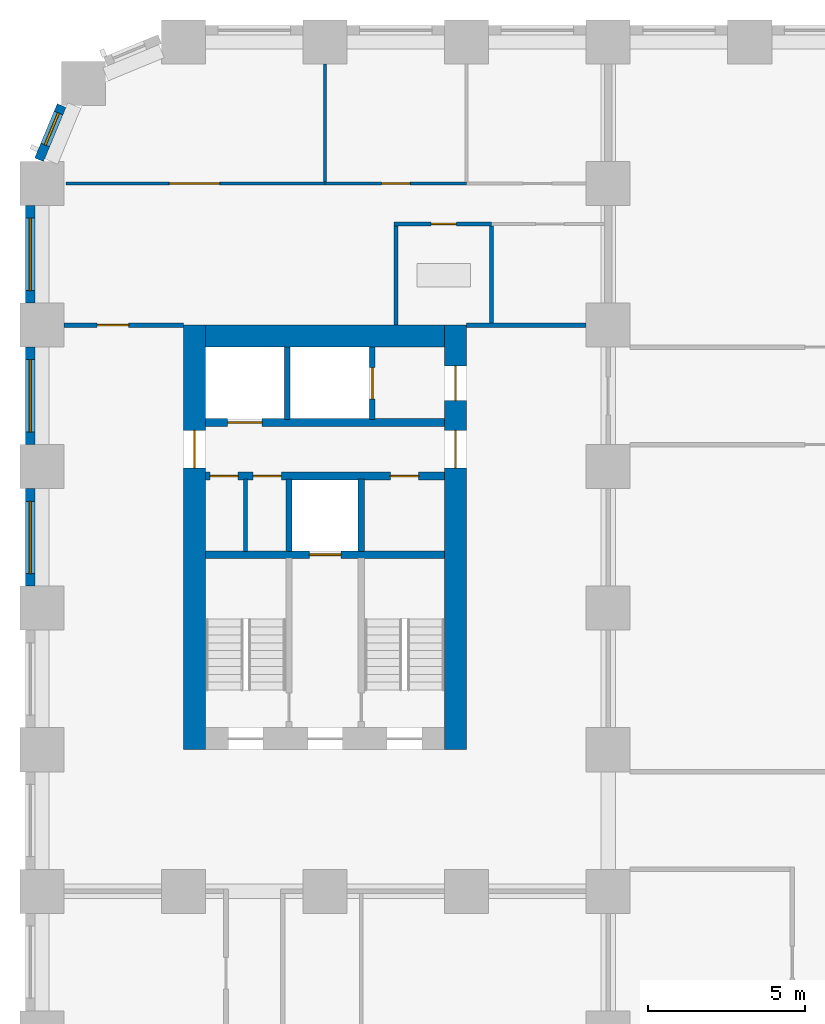
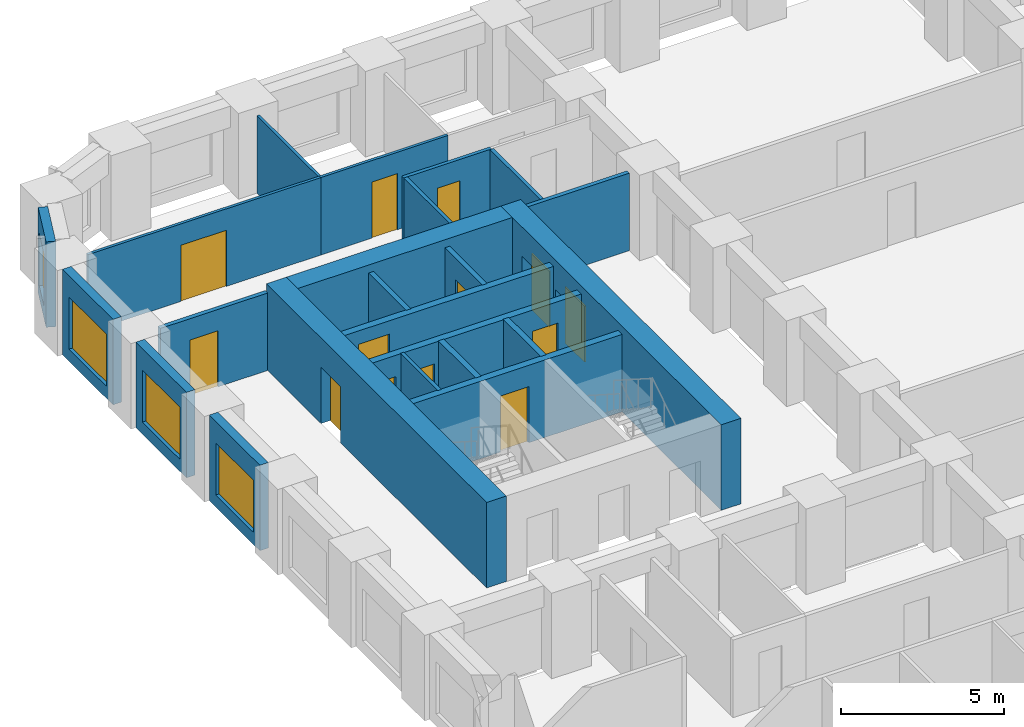
# One storey, part 6 of 12: 23 walls, 13 doors, 4 windows, 17 openings.
"""IFC4 building model written with IfcOpenShell, lengths in metres."""

from ifc_helpers import new_model, si_unit, direction, frame, frame_2d, origin, place, context, subcontext, project, spatial, rectangle, extrude, material, layer, layer_set, type_object, element, fill, save


model = new_model("IFC4")

# Units and contexts
model_context = context("Model", 3, precision=1e-05, world=origin(), true_north=direction((0.0, 1.0)))
body_context = subcontext(model_context, "Body", "Model", "MODEL_VIEW")
ifc_project = project(units=[si_unit("LENGTHUNIT", "METRE"), si_unit("AREAUNIT", "SQUARE_METRE"), si_unit("VOLUMEUNIT", "CUBIC_METRE"), si_unit("PLANEANGLEUNIT", "RADIAN"), si_unit("MASSUNIT", "GRAM", prefix="KILO")], contexts=[model_context])

# Site, building, storey
site_placement = place(None, origin())
site = spatial("IfcSite", under=ifc_project, at=site_placement, CompositionType="ELEMENT")
building_placement = place(site_placement, origin())
building = spatial("IfcBuilding", under=site, at=building_placement, Name="Girih Gate Residences", CompositionType="ELEMENT")
storey_placement = place(building_placement, frame((0.0, 0.0, 68.800048828125)))
storey = spatial("IfcBuildingStorey", under=building, at=storey_placement, Name="L18", CompositionType="ELEMENT", Elevation=68.800048828125)

# Wall
ifc_material_1 = material(Name="Gypsum board on steel studs", Category="steel")
ifc_layer_1 = layer(ifc_material_1, 0.14990234375)
ifc_layer_set_1 = layer_set([ifc_layer_1], Name="Compartment wall 150 mm")
wall_type_1 = type_object("IfcWallType", Name="Compartment wall 150 mm", PredefinedType="PARTITIONING", material=ifc_layer_set_1)
wall_1_placement = place(storey_placement, frame((13.5, 40.5, 0.0), z_axis=(0.0, 0.0, 1.0), x_axis=(1.0, 0.0, 0.0)))
element("IfcWall", 1, at=wall_1_placement, inside=storey, type_object=wall_type_1, Name="L18 partition", PredefinedType="PARTITIONING", context=body_context, shape_type="SweptSolid", body=[
    extrude(rectangle(XDim=3.800048828125, YDim=0.14990234375, at=frame_2d((1.89990234375, 0.0))), origin(), (0.0, 0.0, 1.0), 2.89990234375),
])

# Wall, opening, door
wall_2_placement = place(storey_placement, frame((0.699951171875, 40.5, 0.0), z_axis=(0.0, 0.0, 1.0), x_axis=(1.0, 0.0, 0.0)))
wall_2 = element("IfcWall", 2, at=wall_2_placement, inside=storey, type_object=wall_type_1, Name="L18 partition", PredefinedType="PARTITIONING", context=body_context, shape_type="SweptSolid", body=[
    extrude(rectangle(XDim=3.800048828125, YDim=0.14990234375, at=frame_2d((1.89990234375, 0.0))), origin(), (0.0, 0.0, 1.0), 2.89990234375),
])
opening_1_placement = place(wall_2_placement, frame((1.050048828125, 0.0, 0.0)))
opening_1 = element("IfcOpeningElement", 3, at=opening_1_placement, cuts=wall_2, Name="Opening A18-013", PredefinedType="OPENING", context=body_context, shape_type="SweptSolid", body=[
    extrude(rectangle(XDim=1.0, YDim=2.10009765625, at=frame_2d((0.5, 1.050048828125))), frame((0.0, 0.0849609375, 0.0), z_axis=(0.0, -1.0, 0.0), x_axis=(1.0, 0.0, 0.0)), (0.0, 0.0, 1.0), 0.169921875),
])
ifc_material_2 = material(Name="Timber, fire-rated core", Category="wood")
door_type_1 = type_object("IfcDoorType", Name="Flat entrance door 1000x2100 FD30S", OperationType="NOTDEFINED", PredefinedType="DOOR", material=ifc_material_2)
door_1_placement = place(opening_1_placement, origin())
door_1 = element("IfcDoor", 4, at=door_1_placement, inside=storey, type_object=door_type_1, Name="Door A18-013", OperationType="SINGLE_SWING_LEFT", OverallHeight=2.10009765625, OverallWidth=1.0, PredefinedType="DOOR", context=body_context, shape_type="SweptSolid", body=[
    extrude(rectangle(XDim=1.0, YDim=2.10009765625, at=frame_2d((0.5, 1.050048828125))), frame((0.0, 0.02490234375, 0.0), z_axis=(0.0, -1.0, 0.0), x_axis=(1.0, 0.0, 0.0)), (0.0, 0.0, 1.0), 0.050048828125),
])
fill(opening_1, door_1)

# Wall
ifc_material_3 = material(Name="Concrete C60/75", Category="concrete")
ifc_layer_2 = layer(ifc_material_3, 0.699951171875)
ifc_layer_set_2 = layer_set([ifc_layer_2], Name="Core wall RC 700 Concrete C60/75")
wall_type_2 = type_object("IfcWallType", Name="Core wall RC 700 Concrete C60/75", PredefinedType="SOLIDWALL", material=ifc_layer_set_2)
wall_3_placement = place(storey_placement, frame((5.199951171875, 40.14990234375, 0.0), z_axis=(0.0, 0.0, 1.0), x_axis=(1.0, 0.0, 0.0)))
element("IfcWall", 5, at=wall_3_placement, inside=storey, type_object=wall_type_2, Name="Core wall W-N L18", PredefinedType="SOLIDWALL", context=body_context, shape_type="SweptSolid", body=[
    extrude(rectangle(XDim=7.60009765625, YDim=0.699951171875, at=frame_2d((3.800048828125, 0.0))), origin(), (0.0, 0.0, 1.0), 3.199951171875),
])

# Wall, opening, door
wall_4_placement = place(storey_placement, frame((4.85009765625, 27.0, 0.0), z_axis=(0.0, 0.0, 1.0), x_axis=(0.0, 1.0, 0.0)))
wall_4 = element("IfcWall", 6, at=wall_4_placement, inside=storey, type_object=wall_type_2, Name="Core wall W-W L18", PredefinedType="SOLIDWALL", context=body_context, shape_type="SweptSolid", body=[
    extrude(rectangle(XDim=13.5, YDim=0.699951171875, at=frame_2d((6.75, 0.0))), origin(), (0.0, 0.0, 1.0), 3.199951171875),
])
opening_2_placement = place(wall_4_placement, frame((8.949951171875, 0.0, 0.0)))
opening_2 = element("IfcOpeningElement", 7, at=opening_2_placement, cuts=wall_4, Name="Opening D-L18-W-013", PredefinedType="OPENING", context=body_context, shape_type="SweptSolid", body=[
    extrude(rectangle(XDim=1.199951171875, YDim=2.10009765625, at=frame_2d((0.60009765625, 1.050048828125))), frame((0.0, 0.35986328125, 0.0), z_axis=(0.0, -1.0, 0.0), x_axis=(1.0, 0.0, 0.0)), (0.0, 0.0, 1.0), 0.719970703125),
])
ifc_material_4 = material(Name="Painted steel, fire-resisting", Category="steel")
door_type_2 = type_object("IfcDoorType", Name="Fire door 1200x2100", OperationType="SINGLE_SWING_LEFT", PredefinedType="DOOR", material=ifc_material_4)
door_2_placement = place(opening_2_placement, origin())
door_2 = element("IfcDoor", 8, at=door_2_placement, inside=storey, type_object=door_type_2, Name="L18 W core door ll-w", OperationType="SINGLE_SWING_LEFT", OverallHeight=2.10009765625, OverallWidth=1.199951171875, PredefinedType="DOOR", context=body_context, shape_type="SweptSolid", body=[
    extrude(rectangle(XDim=1.199951171875, YDim=2.10009765625, at=frame_2d((0.60009765625, 1.050048828125))), frame((0.0, 0.02490234375, 0.0), z_axis=(0.0, -1.0, 0.0), x_axis=(1.0, 0.0, 0.0)), (0.0, 0.0, 1.0), 0.050048828125),
])
fill(opening_2, door_2)

# Wall, openings, doors
wall_5_placement = place(storey_placement, frame((13.14990234375, 27.0, 0.0), z_axis=(0.0, 0.0, 1.0), x_axis=(0.0, 1.0, 0.0)))
wall_5 = element("IfcWall", 9, at=wall_5_placement, inside=storey, type_object=wall_type_2, Name="Core wall W-E L18", PredefinedType="SOLIDWALL", context=body_context, shape_type="SweptSolid", body=[
    extrude(rectangle(XDim=13.5, YDim=0.699951171875, at=frame_2d((6.75, 0.0))), origin(), (0.0, 0.0, 1.0), 3.199951171875),
])
opening_3_placement = place(wall_5_placement, frame((11.10009765625, 0.0, 0.0)))
opening_3 = element("IfcOpeningElement", 10, at=opening_3_placement, cuts=wall_5, Name="Opening D-L18-W-012", PredefinedType="OPENING", context=body_context, shape_type="SweptSolid", body=[
    extrude(rectangle(XDim=1.10009765625, YDim=2.10009765625, at=frame_2d((0.550048828125, 1.050048828125))), frame((0.0, 0.35986328125, 0.0), z_axis=(0.0, -1.0, 0.0), x_axis=(1.0, 0.0, 0.0)), (0.0, 0.0, 1.0), 0.719970703125),
])
opening_4_placement = place(wall_5_placement, frame((8.949951171875, 0.0, 0.0)))
opening_4 = element("IfcOpeningElement", 11, at=opening_4_placement, cuts=wall_5, Name="Opening D-L18-W-014", PredefinedType="OPENING", context=body_context, shape_type="SweptSolid", body=[
    extrude(rectangle(XDim=1.199951171875, YDim=2.10009765625, at=frame_2d((0.60009765625, 1.050048828125))), frame((0.0, 0.35986328125, 0.0), z_axis=(0.0, -1.0, 0.0), x_axis=(1.0, 0.0, 0.0)), (0.0, 0.0, 1.0), 0.719970703125),
])
door_type_3 = type_object("IfcDoorType", Name="Fire door 1100x2100", OperationType="SINGLE_SWING_LEFT", PredefinedType="DOOR", material=ifc_material_4)
door_3_placement = place(opening_3_placement, origin())
door_3 = element("IfcDoor", 12, at=door_3_placement, inside=storey, type_object=door_type_3, Name="L18 W core door ffl2-e", OperationType="SINGLE_SWING_LEFT", OverallHeight=2.10009765625, OverallWidth=1.10009765625, PredefinedType="DOOR", context=body_context, shape_type="SweptSolid", body=[
    extrude(rectangle(XDim=1.10009765625, YDim=2.10009765625, at=frame_2d((0.550048828125, 1.050048828125))), frame((0.0, 0.02490234375, 0.0), z_axis=(0.0, -1.0, 0.0), x_axis=(1.0, 0.0, 0.0)), (0.0, 0.0, 1.0), 0.050048828125),
])
fill(opening_3, door_3)
door_4_placement = place(opening_4_placement, origin())
door_4 = element("IfcDoor", 13, at=door_4_placement, inside=storey, type_object=door_type_2, Name="L18 W core door ll-e", OperationType="SINGLE_SWING_LEFT", OverallHeight=2.10009765625, OverallWidth=1.199951171875, PredefinedType="DOOR", context=body_context, shape_type="SweptSolid", body=[
    extrude(rectangle(XDim=1.199951171875, YDim=2.10009765625, at=frame_2d((0.60009765625, 1.050048828125))), frame((0.0, 0.02490234375, 0.0), z_axis=(0.0, -1.0, 0.0), x_axis=(1.0, 0.0, 0.0)), (0.0, 0.0, 1.0), 0.050048828125),
])
fill(opening_4, door_4)

# Wall, opening, door
ifc_material_5 = material(Name="Concrete C40/50", Category="concrete")
ifc_layer_3 = layer(ifc_material_5, 0.25)
ifc_layer_set_3 = layer_set([ifc_layer_3], Name="Lift shaft wall 250")
wall_type_3 = type_object("IfcWallType", Name="Lift shaft wall 250", PredefinedType="SOLIDWALL", material=ifc_layer_set_3)
wall_6_placement = place(storey_placement, frame((5.199951171875, 33.199951171875, 0.0), z_axis=(0.0, 0.0, 1.0), x_axis=(1.0, 0.0, 0.0)))
wall_6 = element("IfcWall", 14, at=wall_6_placement, inside=storey, type_object=wall_type_3, Name="L18 W core wall H1", PredefinedType="SOLIDWALL", context=body_context, shape_type="SweptSolid", body=[
    extrude(rectangle(XDim=7.60009765625, YDim=0.25, at=frame_2d((3.800048828125, 0.0))), origin(), (0.0, 0.0, 1.0), 2.89990234375),
])
opening_5_placement = place(wall_6_placement, frame((3.300048828125, 0.0, 0.0)))
opening_5 = element("IfcOpeningElement", 15, at=opening_5_placement, cuts=wall_6, Name="Opening D-L18-W-005", PredefinedType="OPENING", context=body_context, shape_type="SweptSolid", body=[
    extrude(rectangle(XDim=1.0, YDim=2.10009765625, at=frame_2d((0.5, 1.050048828125))), frame((0.0, 0.135009765625, 0.0), z_axis=(0.0, -1.0, 0.0), x_axis=(1.0, 0.0, 0.0)), (0.0, 0.0, 1.0), 0.27001953125),
])
ifc_material_6 = material(Name="Stainless steel, fire-resisting", Category="steel")
door_type_4 = type_object("IfcDoorType", Name="Firefighting lift landing door 1000x2100", OperationType="SLIDING_TO_LEFT", PredefinedType="DOOR", material=ifc_material_6)
door_5_placement = place(opening_5_placement, origin())
door_5 = element("IfcDoor", 16, at=door_5_placement, inside=storey, type_object=door_type_4, Name="L18 lift FF-W landing door", OperationType="SLIDING_TO_LEFT", OverallHeight=2.10009765625, OverallWidth=1.0, PredefinedType="DOOR", context=body_context, shape_type="SweptSolid", body=[
    extrude(rectangle(XDim=1.0, YDim=2.10009765625, at=frame_2d((0.5, 1.050048828125))), frame((0.0, 0.02490234375, 0.0), z_axis=(0.0, -1.0, 0.0), x_axis=(1.0, 0.0, 0.0)), (0.0, 0.0, 1.0), 0.050048828125),
])
fill(opening_5, door_5)

# Wall, openings, doors
wall_7_placement = place(storey_placement, frame((5.199951171875, 35.699951171875, 0.0), z_axis=(0.0, 0.0, 1.0), x_axis=(1.0, 0.0, 0.0)))
wall_7 = element("IfcWall", 17, at=wall_7_placement, inside=storey, type_object=wall_type_3, Name="L18 W core wall H2", PredefinedType="SOLIDWALL", context=body_context, shape_type="SweptSolid", body=[
    extrude(rectangle(XDim=7.60009765625, YDim=0.25, at=frame_2d((3.800048828125, 0.0))), origin(), (0.0, 0.0, 1.0), 2.89990234375),
])
opening_6_placement = place(wall_7_placement, frame((0.137451171875, 0.0, 0.0)))
opening_6 = element("IfcOpeningElement", 18, at=opening_6_placement, cuts=wall_7, Name="Opening D-L18-W-006", PredefinedType="OPENING", context=body_context, shape_type="SweptSolid", body=[
    extrude(rectangle(XDim=0.89990234375, YDim=2.10009765625, at=frame_2d((0.449951171875, 1.050048828125))), frame((0.0, 0.135009765625, 0.0), z_axis=(0.0, -1.0, 0.0), x_axis=(1.0, 0.0, 0.0)), (0.0, 0.0, 1.0), 0.27001953125),
])
opening_7_placement = place(wall_7_placement, frame((1.512451171875, 0.0, 0.0)))
opening_7 = element("IfcOpeningElement", 19, at=opening_7_placement, cuts=wall_7, Name="Opening D-L18-W-007", PredefinedType="OPENING", context=body_context, shape_type="SweptSolid", body=[
    extrude(rectangle(XDim=0.89990234375, YDim=2.10009765625, at=frame_2d((0.449951171875, 1.050048828125))), frame((0.0, 0.135009765625, 0.0), z_axis=(0.0, -1.0, 0.0), x_axis=(1.0, 0.0, 0.0)), (0.0, 0.0, 1.0), 0.27001953125),
])
opening_8_placement = place(wall_7_placement, frame((5.875, 0.0, 0.0)))
opening_8 = element("IfcOpeningElement", 20, at=opening_8_placement, cuts=wall_7, Name="Opening D-L18-W-008", PredefinedType="OPENING", context=body_context, shape_type="SweptSolid", body=[
    extrude(rectangle(XDim=0.89990234375, YDim=2.10009765625, at=frame_2d((0.449951171875, 1.050048828125))), frame((0.0, 0.135009765625, 0.0), z_axis=(0.0, -1.0, 0.0), x_axis=(1.0, 0.0, 0.0)), (0.0, 0.0, 1.0), 0.27001953125),
])
door_type_5 = type_object("IfcDoorType", Name="Fire door 900x2100", OperationType="SINGLE_SWING_LEFT", PredefinedType="DOOR", material=ifc_material_4)
door_6_placement = place(opening_6_placement, origin())
door_6 = element("IfcDoor", 21, at=door_6_placement, inside=storey, type_object=door_type_5, Name="L18 W maintenance store door", OperationType="SINGLE_SWING_LEFT", OverallHeight=2.10009765625, OverallWidth=0.89990234375, PredefinedType="DOOR", context=body_context, shape_type="SweptSolid", body=[
    extrude(rectangle(XDim=0.89990234375, YDim=2.10009765625, at=frame_2d((0.449951171875, 1.050048828125))), frame((0.0, 0.02490234375, 0.0), z_axis=(0.0, -1.0, 0.0), x_axis=(1.0, 0.0, 0.0)), (0.0, 0.0, 1.0), 0.050048828125),
])
fill(opening_6, door_6)
door_7_placement = place(opening_7_placement, origin())
door_7 = element("IfcDoor", 22, at=door_7_placement, inside=storey, type_object=door_type_5, Name="L18 W electrical room door", OperationType="SINGLE_SWING_LEFT", OverallHeight=2.10009765625, OverallWidth=0.89990234375, PredefinedType="DOOR", context=body_context, shape_type="SweptSolid", body=[
    extrude(rectangle(XDim=0.89990234375, YDim=2.10009765625, at=frame_2d((0.449951171875, 1.050048828125))), frame((0.0, 0.02490234375, 0.0), z_axis=(0.0, -1.0, 0.0), x_axis=(1.0, 0.0, 0.0)), (0.0, 0.0, 1.0), 0.050048828125),
])
fill(opening_7, door_7)
door_8_placement = place(opening_8_placement, origin())
door_8 = element("IfcDoor", 23, at=door_8_placement, inside=storey, type_object=door_type_5, Name="L18 W linen store door", OperationType="SINGLE_SWING_LEFT", OverallHeight=2.10009765625, OverallWidth=0.89990234375, PredefinedType="DOOR", context=body_context, shape_type="SweptSolid", body=[
    extrude(rectangle(XDim=0.89990234375, YDim=2.10009765625, at=frame_2d((0.449951171875, 1.050048828125))), frame((0.0, 0.02490234375, 0.0), z_axis=(0.0, -1.0, 0.0), x_axis=(1.0, 0.0, 0.0)), (0.0, 0.0, 1.0), 0.050048828125),
])
fill(opening_8, door_8)

# Wall, opening, door
wall_8_placement = place(storey_placement, frame((5.199951171875, 37.39990234375, 0.0), z_axis=(0.0, 0.0, 1.0), x_axis=(1.0, 0.0, 0.0)))
wall_8 = element("IfcWall", 24, at=wall_8_placement, inside=storey, type_object=wall_type_3, Name="L18 W core wall H3", PredefinedType="SOLIDWALL", context=body_context, shape_type="SweptSolid", body=[
    extrude(rectangle(XDim=7.60009765625, YDim=0.25, at=frame_2d((3.800048828125, 0.0))), origin(), (0.0, 0.0, 1.0), 2.89990234375),
])
opening_9_placement = place(wall_8_placement, frame((0.699951171875, 0.0, 0.0)))
opening_9 = element("IfcOpeningElement", 25, at=opening_9_placement, cuts=wall_8, Name="Opening D-L18-W-003", PredefinedType="OPENING", context=body_context, shape_type="SweptSolid", body=[
    extrude(rectangle(XDim=1.10009765625, YDim=2.39990234375, at=frame_2d((0.550048828125, 1.199951171875))), frame((0.0, 0.135009765625, 0.0), z_axis=(0.0, -1.0, 0.0), x_axis=(1.0, 0.0, 0.0)), (0.0, 0.0, 1.0), 0.27001953125),
])
ifc_material_7 = material(Name="Stainless steel", Category="steel")
door_type_6 = type_object("IfcDoorType", Name="Lift landing door 1100x2400", OperationType="SLIDING_TO_LEFT", PredefinedType="DOOR", material=ifc_material_7)
door_9_placement = place(opening_9_placement, origin())
door_9 = element("IfcDoor", 26, at=door_9_placement, inside=storey, type_object=door_type_6, Name="L18 lift LR-W1 landing door", OperationType="SLIDING_TO_LEFT", OverallHeight=2.39990234375, OverallWidth=1.10009765625, PredefinedType="DOOR", context=body_context, shape_type="SweptSolid", body=[
    extrude(rectangle(XDim=1.10009765625, YDim=2.39990234375, at=frame_2d((0.550048828125, 1.199951171875))), frame((0.0, 0.02490234375, 0.0), z_axis=(0.0, -1.0, 0.0), x_axis=(1.0, 0.0, 0.0)), (0.0, 0.0, 1.0), 0.050048828125),
])
fill(opening_9, door_9)

ifc_layer_4 = layer(ifc_material_1, 0.10009765625)
ifc_layer_set_4 = layer_set([ifc_layer_4], Name="Partition 100 mm")
wall_type_4 = type_object("IfcWallType", Name="Partition 100 mm", PredefinedType="PARTITIONING", material=ifc_layer_set_4)
wall_9_placement = place(storey_placement, frame((9.0, 45.0, 0.0), z_axis=(0.0, 0.0, 1.0), x_axis=(1.0, 0.0, 0.0)))
wall_9 = element("IfcWall", 27, at=wall_9_placement, inside=storey, type_object=wall_type_4, Name="L18 partition", PredefinedType="PARTITIONING", context=body_context, shape_type="SweptSolid", body=[
    extrude(rectangle(XDim=4.5, YDim=0.10009765625, at=frame_2d((2.25, 0.0))), origin(), (0.0, 0.0, 1.0), 2.89990234375),
])
opening_10_placement = place(wall_9_placement, frame((1.800048828125, 0.0, 0.0)))
opening_10 = element("IfcOpeningElement", 28, at=opening_10_placement, cuts=wall_9, Name="Opening A18-009", PredefinedType="OPENING", context=body_context, shape_type="SweptSolid", body=[
    extrude(rectangle(XDim=0.89990234375, YDim=2.10009765625, at=frame_2d((0.449951171875, 1.050048828125))), frame((0.0, 0.06005859375, 0.0), z_axis=(0.0, -1.0, 0.0), x_axis=(1.0, 0.0, 0.0)), (0.0, 0.0, 1.0), 0.1201171875),
])
ifc_material_8 = material(Name="Timber", Category="wood")
door_type_7 = type_object("IfcDoorType", Name="Bedroom door 900x2100", OperationType="NOTDEFINED", PredefinedType="DOOR", material=ifc_material_8)
door_10_placement = place(opening_10_placement, origin())
door_10 = element("IfcDoor", 29, at=door_10_placement, inside=storey, type_object=door_type_7, Name="Door A18-009", OperationType="SINGLE_SWING_LEFT", OverallHeight=2.10009765625, OverallWidth=0.89990234375, PredefinedType="DOOR", context=body_context, shape_type="SweptSolid", body=[
    extrude(rectangle(XDim=0.89990234375, YDim=2.10009765625, at=frame_2d((0.449951171875, 1.050048828125))), frame((0.0, 0.02490234375, 0.0), z_axis=(0.0, -1.0, 0.0), x_axis=(1.0, 0.0, 0.0)), (0.0, 0.0, 1.0), 0.050048828125),
])
fill(opening_10, door_10)

# Wall
wall_10_placement = place(storey_placement, frame((9.0, 45.050048828125, 0.0), z_axis=(0.0, 0.0, 1.0), x_axis=(0.0, 1.0, 0.0)))
element("IfcWall", 30, at=wall_10_placement, inside=storey, type_object=wall_type_4, Name="L18 partition", PredefinedType="PARTITIONING", context=body_context, shape_type="SweptSolid", body=[
    extrude(rectangle(XDim=3.75, YDim=0.10009765625, at=frame_2d((1.875, 0.0))), origin(), (0.0, 0.0, 1.0), 2.89990234375),
])

# Wall, opening, door
wall_11_placement = place(storey_placement, frame((0.757568359375, 45.0, 0.0), z_axis=(0.0, 0.0, 1.0), x_axis=(1.0, 0.0, 0.0)))
wall_11 = element("IfcWall", 31, at=wall_11_placement, inside=storey, type_object=wall_type_4, Name="L18 partition", PredefinedType="PARTITIONING", context=body_context, shape_type="SweptSolid", body=[
    extrude(rectangle(XDim=8.242431640625, YDim=0.10009765625, at=frame_2d((4.12109375, 0.0))), origin(), (0.0, 0.0, 1.0), 2.89990234375),
])
opening_11_placement = place(wall_11_placement, frame((3.292236328125, 0.0, 0.0)))
opening_11 = element("IfcOpeningElement", 32, at=opening_11_placement, cuts=wall_11, Name="Opening A18-012", PredefinedType="OPENING", context=body_context, shape_type="SweptSolid", body=[
    extrude(rectangle(XDim=1.60009765625, YDim=2.10009765625, at=frame_2d((0.800048828125, 1.050048828125))), frame((0.0, 0.06005859375, 0.0), z_axis=(0.0, -1.0, 0.0), x_axis=(1.0, 0.0, 0.0)), (0.0, 0.0, 1.0), 0.1201171875),
])
door_type_8 = type_object("IfcDoorType", Name="Double leaf door 1600x2100", OperationType="NOTDEFINED", PredefinedType="DOOR", material=ifc_material_8)
door_11_placement = place(opening_11_placement, origin())
door_11 = element("IfcDoor", 33, at=door_11_placement, inside=storey, type_object=door_type_8, Name="Door A18-012", OperationType="SINGLE_SWING_LEFT", OverallHeight=2.10009765625, OverallWidth=1.60009765625, PredefinedType="DOOR", context=body_context, shape_type="SweptSolid", body=[
    extrude(rectangle(XDim=1.60009765625, YDim=2.10009765625, at=frame_2d((0.800048828125, 1.050048828125))), frame((0.0, 0.02490234375, 0.0), z_axis=(0.0, -1.0, 0.0), x_axis=(1.0, 0.0, 0.0)), (0.0, 0.0, 1.0), 0.050048828125),
])
fill(opening_11, door_11)

# Wall, opening, window
ifc_material_9 = material(Name="Precast concrete C50/60", Category="concrete")
ifc_layer_5 = layer(ifc_material_9, 0.080078125, Name="Outer leaf")
ifc_material_10 = material(Name="Rigid PIR insulation")
ifc_layer_6 = layer(ifc_material_10, 0.14990234375, Name="Insulation")
ifc_material_11 = material(Name="Precast concrete C40/50", Category="concrete")
ifc_layer_7 = layer(ifc_material_11, 0.070068359375, Name="Inner leaf")
ifc_layer_set_5 = layer_set([ifc_layer_5, ifc_layer_6, ifc_layer_7], Name="Precast concrete C50/60 external wall 300")
wall_type_5 = type_object("IfcWallType", Name="Precast concrete C50/60 external wall 300", PredefinedType="SOLIDWALL", material=ifc_layer_set_5)
wall_12_placement = place(storey_placement, frame((-0.09228515625, 45.75732421875, 0.0), z_axis=(0.0, 0.0, 1.0), x_axis=(0.382737135771, 0.923857286003, 0.0)))
wall_12 = element("IfcWall", 34, at=wall_12_placement, inside=storey, type_object=wall_type_5, Name="External wall NW0013_0482.0", PredefinedType="SOLIDWALL", context=body_context, shape_type="SweptSolid", body=[
    extrude(rectangle(XDim=1.865234375, YDim=0.300048828125, at=frame_2d((0.9326171875, 0.0))), origin(), (0.0, 0.0, 1.0), 3.199951171875),
])
opening_12_placement = place(wall_12_placement, frame((0.507568359375, 0.0, 0.449951171875)))
opening_12 = element("IfcOpeningElement", 35, at=opening_12_placement, cuts=wall_12, Name="Opening W-2C", PredefinedType="OPENING", context=body_context, shape_type="SweptSolid", body=[
    extrude(rectangle(XDim=1.10009765625, YDim=1.949951171875, at=frame_2d((0.550048828125, 0.97509765625))), frame((0.0, 0.159912109375, 0.0), z_axis=(0.0, -1.0, 0.0), x_axis=(1.0, 0.0, 0.0)), (0.0, 0.0, 1.0), 0.320068359375),
])
ifc_material_12 = material(Name="Double glazing in aluminium frame", Category="aluminium")
window_type_1 = type_object("IfcWindowType", Name="Window W-2C 1100x1950", PartitioningType="SINGLE_PANEL", PredefinedType="WINDOW", material=ifc_material_12)
window_1_placement = place(opening_12_placement, origin())
window_1 = element("IfcWindow", 36, at=window_1_placement, inside=storey, type_object=window_type_1, Name="Window W-2C NW0013_0482.0", OverallHeight=1.949951171875, OverallWidth=1.10009765625, PartitioningType="SINGLE_PANEL", PredefinedType="WINDOW", context=body_context, shape_type="SweptSolid", body=[
    extrude(rectangle(XDim=1.10009765625, YDim=1.949951171875, at=frame_2d((0.550048828125, 0.97509765625))), frame((0.0, 0.030029296875, 0.0), z_axis=(0.0, -1.0, 0.0), x_axis=(1.0, 0.0, 0.0)), (0.0, 0.0, 1.0), 0.06005859375),
])
fill(opening_12, window_1)

wall_13_placement = place(storey_placement, frame((-0.375, 41.199951171875, 0.0), z_axis=(0.0, 0.0, 1.0), x_axis=(0.0, 1.0, 0.0)))
wall_13 = element("IfcWall", 37, at=wall_13_placement, inside=storey, type_object=wall_type_5, Name="External wall W0000_0450.0", PredefinedType="SOLIDWALL", context=body_context, shape_type="SweptSolid", body=[
    extrude(rectangle(XDim=3.10009765625, YDim=0.300048828125, at=frame_2d((1.550048828125, 0.0))), origin(), (0.0, 0.0, 1.0), 3.199951171875),
])
opening_13_placement = place(wall_13_placement, frame((0.39990234375, 0.0, 0.449951171875)))
opening_13 = element("IfcOpeningElement", 38, at=opening_13_placement, cuts=wall_13, Name="Opening W-1", PredefinedType="OPENING", context=body_context, shape_type="SweptSolid", body=[
    extrude(rectangle(XDim=2.300048828125, YDim=1.949951171875, at=frame_2d((1.14990234375, 0.97509765625))), frame((0.0, 0.159912109375, 0.0), z_axis=(0.0, -1.0, 0.0), x_axis=(1.0, 0.0, 0.0)), (0.0, 0.0, 1.0), 0.320068359375),
])
window_type_2 = type_object("IfcWindowType", Name="Window W-1 2300x1950", PartitioningType="SINGLE_PANEL", PredefinedType="WINDOW", material=ifc_material_12)
window_2_placement = place(opening_13_placement, origin())
window_2 = element("IfcWindow", 39, at=window_2_placement, inside=storey, type_object=window_type_2, Name="Window W-1 W0000_0450.0", OverallHeight=1.949951171875, OverallWidth=2.300048828125, PartitioningType="SINGLE_PANEL", PredefinedType="WINDOW", context=body_context, shape_type="SweptSolid", body=[
    extrude(rectangle(XDim=2.300048828125, YDim=1.949951171875, at=frame_2d((1.14990234375, 0.97509765625))), frame((0.0, 0.030029296875, 0.0), z_axis=(0.0, -1.0, 0.0), x_axis=(1.0, 0.0, 0.0)), (0.0, 0.0, 1.0), 0.06005859375),
])
fill(opening_13, window_2)

wall_14_placement = place(storey_placement, frame((-0.375, 36.699951171875, 0.0), z_axis=(0.0, 0.0, 1.0), x_axis=(0.0, 1.0, 0.0)))
wall_14 = element("IfcWall", 40, at=wall_14_placement, inside=storey, type_object=wall_type_5, Name="External wall W0000_0450.1", PredefinedType="SOLIDWALL", context=body_context, shape_type="SweptSolid", body=[
    extrude(rectangle(XDim=3.10009765625, YDim=0.300048828125, at=frame_2d((1.550048828125, 0.0))), origin(), (0.0, 0.0, 1.0), 3.199951171875),
])
opening_14_placement = place(wall_14_placement, frame((0.39990234375, 0.0, 0.449951171875)))
opening_14 = element("IfcOpeningElement", 41, at=opening_14_placement, cuts=wall_14, Name="Opening W-1", PredefinedType="OPENING", context=body_context, shape_type="SweptSolid", body=[
    extrude(rectangle(XDim=2.300048828125, YDim=1.949951171875, at=frame_2d((1.14990234375, 0.97509765625))), frame((0.0, 0.159912109375, 0.0), z_axis=(0.0, -1.0, 0.0), x_axis=(1.0, 0.0, 0.0)), (0.0, 0.0, 1.0), 0.320068359375),
])
window_3_placement = place(opening_14_placement, origin())
window_3 = element("IfcWindow", 42, at=window_3_placement, inside=storey, type_object=window_type_2, Name="Window W-1 W0000_0450.1", OverallHeight=1.949951171875, OverallWidth=2.300048828125, PartitioningType="SINGLE_PANEL", PredefinedType="WINDOW", context=body_context, shape_type="SweptSolid", body=[
    extrude(rectangle(XDim=2.300048828125, YDim=1.949951171875, at=frame_2d((1.14990234375, 0.97509765625))), frame((0.0, 0.030029296875, 0.0), z_axis=(0.0, -1.0, 0.0), x_axis=(1.0, 0.0, 0.0)), (0.0, 0.0, 1.0), 0.06005859375),
])
fill(opening_14, window_3)

wall_15_placement = place(storey_placement, frame((-0.375, 32.199951171875, 0.0), z_axis=(0.0, 0.0, 1.0), x_axis=(0.0, 1.0, 0.0)))
wall_15 = element("IfcWall", 43, at=wall_15_placement, inside=storey, type_object=wall_type_5, Name="External wall W0000_0450.2", PredefinedType="SOLIDWALL", context=body_context, shape_type="SweptSolid", body=[
    extrude(rectangle(XDim=3.10009765625, YDim=0.300048828125, at=frame_2d((1.550048828125, 0.0))), origin(), (0.0, 0.0, 1.0), 3.199951171875),
])
opening_15_placement = place(wall_15_placement, frame((0.39990234375, 0.0, 0.449951171875)))
opening_15 = element("IfcOpeningElement", 44, at=opening_15_placement, cuts=wall_15, Name="Opening W-1", PredefinedType="OPENING", context=body_context, shape_type="SweptSolid", body=[
    extrude(rectangle(XDim=2.300048828125, YDim=1.949951171875, at=frame_2d((1.14990234375, 0.97509765625))), frame((0.0, 0.159912109375, 0.0), z_axis=(0.0, -1.0, 0.0), x_axis=(1.0, 0.0, 0.0)), (0.0, 0.0, 1.0), 0.320068359375),
])
window_4_placement = place(opening_15_placement, origin())
window_4 = element("IfcWindow", 45, at=window_4_placement, inside=storey, type_object=window_type_2, Name="Window W-1 W0000_0450.2", OverallHeight=1.949951171875, OverallWidth=2.300048828125, PartitioningType="SINGLE_PANEL", PredefinedType="WINDOW", context=body_context, shape_type="SweptSolid", body=[
    extrude(rectangle(XDim=2.300048828125, YDim=1.949951171875, at=frame_2d((1.14990234375, 0.97509765625))), frame((0.0, 0.030029296875, 0.0), z_axis=(0.0, -1.0, 0.0), x_axis=(1.0, 0.0, 0.0)), (0.0, 0.0, 1.0), 0.06005859375),
])
fill(opening_15, window_4)

# Wall
ifc_layer_8 = layer(ifc_material_5, 0.175048828125)
ifc_layer_set_6 = layer_set([ifc_layer_8], Name="Riser shaft wall 175")
wall_type_6 = type_object("IfcWallType", Name="Riser shaft wall 175", PredefinedType="SOLIDWALL", material=ifc_layer_set_6)
wall_16_placement = place(storey_placement, frame((7.800048828125, 37.5, 0.0), z_axis=(0.0, 0.0, 1.0), x_axis=(0.0, 1.0, 0.0)))
element("IfcWall", 46, at=wall_16_placement, inside=storey, type_object=wall_type_6, Name="L18 W core wall V1c", PredefinedType="SOLIDWALL", context=body_context, shape_type="SweptSolid", body=[
    extrude(rectangle(XDim=2.300048828125, YDim=0.175048828125, at=frame_2d((1.14990234375, 0.0))), origin(), (0.0, 0.0, 1.0), 2.89990234375),
])

# Wall, opening, door
wall_17_placement = place(storey_placement, frame((10.5, 37.5, 0.0), z_axis=(0.0, 0.0, 1.0), x_axis=(0.0, 1.0, 0.0)))
wall_17 = element("IfcWall", 47, at=wall_17_placement, inside=storey, type_object=wall_type_6, Name="L18 W core wall V2c", PredefinedType="SOLIDWALL", context=body_context, shape_type="SweptSolid", body=[
    extrude(rectangle(XDim=2.300048828125, YDim=0.175048828125, at=frame_2d((1.14990234375, 0.0))), origin(), (0.0, 0.0, 1.0), 2.89990234375),
])
opening_16_placement = place(wall_17_placement, frame((0.64990234375, 0.0, 0.0)))
opening_16 = element("IfcOpeningElement", 48, at=opening_16_placement, cuts=wall_17, Name="Opening D-L18-W-004", PredefinedType="OPENING", context=body_context, shape_type="SweptSolid", body=[
    extrude(rectangle(XDim=1.0, YDim=2.10009765625, at=frame_2d((0.5, 1.050048828125))), frame((0.0, 0.097412109375, 0.0), z_axis=(0.0, -1.0, 0.0), x_axis=(1.0, 0.0, 0.0)), (0.0, 0.0, 1.0), 0.195068359375),
])
door_12_placement = place(opening_16_placement, origin())
door_12 = element("IfcDoor", 49, at=door_12_placement, inside=storey, type_object=door_type_4, Name="L18 lift FF-W2 landing door", OperationType="SLIDING_TO_LEFT", OverallHeight=2.10009765625, OverallWidth=1.0, PredefinedType="DOOR", context=body_context, shape_type="SweptSolid", body=[
    extrude(rectangle(XDim=1.0, YDim=2.10009765625, at=frame_2d((0.5, 1.050048828125))), frame((0.0, 0.02490234375, 0.0), z_axis=(0.0, -1.0, 0.0), x_axis=(1.0, 0.0, 0.0)), (0.0, 0.0, 1.0), 0.050048828125),
])
fill(opening_16, door_12)

# Walls
ifc_layer_9 = layer(ifc_material_5, 0.199951171875)
ifc_layer_set_7 = layer_set([ifc_layer_9], Name="Shaft wall 200")
wall_type_7 = type_object("IfcWallType", Name="Shaft wall 200", PredefinedType="SOLIDWALL", material=ifc_layer_set_7)
for number, where, z_axis, x_axis, name in (
    (50, (7.85009765625, 33.300048828125, 0.0), (0.0, 0.0, 1.0), (0.0, 1.0, 0.0), "L18 W core wall V1b"),
    (51, (10.14990234375, 33.300048828125, 0.0), (0.0, 0.0, 1.0), (0.0, 1.0, 0.0), "L18 W core wall V2b"),
):
    element("IfcWall", number, at=place(storey_placement, frame(where, z_axis=z_axis, x_axis=x_axis)), inside=storey, type_object=wall_type_7, Name=name, PredefinedType="SOLIDWALL", context=body_context, shape_type="SweptSolid", body=[
        extrude(rectangle(XDim=2.300048828125, YDim=0.199951171875, at=frame_2d((1.14990234375, 0.0))), origin(), (0.0, 0.0, 1.0), 2.89990234375),
    ])
ifc_material_13 = material(Name="Calcium silicate blockwork", Category="masonry")
ifc_layer_10 = layer(ifc_material_13, 0.125)
ifc_layer_set_8 = layer_set([ifc_layer_10], Name="Store partition 125")
wall_type_8 = type_object("IfcWallType", Name="Store partition 125", PredefinedType="PARTITIONING", material=ifc_layer_set_8)
wall_18_placement = place(storey_placement, frame((6.47509765625, 33.300048828125, 0.0), z_axis=(0.0, 0.0, 1.0), x_axis=(0.0, 1.0, 0.0)))
element("IfcWall", 52, at=wall_18_placement, inside=storey, type_object=wall_type_8, Name="L18 W core wall SHR1", PredefinedType="PARTITIONING", context=body_context, shape_type="SweptSolid", body=[
    extrude(rectangle(XDim=2.300048828125, YDim=0.125, at=frame_2d((1.14990234375, 0.0))), origin(), (0.0, 0.0, 1.0), 2.89990234375),
])
ifc_layer_11 = layer(ifc_material_1, 0.125)
ifc_layer_set_9 = layer_set([ifc_layer_11], Name="Wet room wall 125 mm")
wall_type_9 = type_object("IfcWallType", Name="Wet room wall 125 mm", PredefinedType="PARTITIONING", material=ifc_layer_set_9)
wall_19_placement = place(storey_placement, frame((11.25, 40.5, 0.0), z_axis=(0.0, 0.0, 1.0), x_axis=(0.0, 1.0, 0.0)))
element("IfcWall", 53, at=wall_19_placement, inside=storey, type_object=wall_type_9, Name="L18 partition", PredefinedType="PARTITIONING", context=body_context, shape_type="SweptSolid", body=[
    extrude(rectangle(XDim=3.157470703125, YDim=0.125, at=frame_2d((1.57861328125, 0.0))), origin(), (0.0, 0.0, 1.0), 2.89990234375),
])

# Wall, opening, door
wall_20_placement = place(storey_placement, frame((14.295166015625, 43.719970703125, 0.0), z_axis=(0.0, 0.0, 1.0), x_axis=(-1.0, 0.0, 0.0)))
wall_20 = element("IfcWall", 54, at=wall_20_placement, inside=storey, type_object=wall_type_9, Name="L18 partition", PredefinedType="PARTITIONING", context=body_context, shape_type="SweptSolid", body=[
    extrude(rectangle(XDim=3.107666015625, YDim=0.125, at=frame_2d((1.5537109375, 0.0))), origin(), (0.0, 0.0, 1.0), 2.89990234375),
])
opening_17_placement = place(wall_20_placement, frame((1.12255859375, 0.0, 0.0)))
opening_17 = element("IfcOpeningElement", 55, at=opening_17_placement, cuts=wall_20, Name="Opening A18-008", PredefinedType="OPENING", context=body_context, shape_type="SweptSolid", body=[
    extrude(rectangle(XDim=0.800048828125, YDim=2.10009765625, at=frame_2d((0.39990234375, 1.050048828125))), frame((0.0, 0.072509765625, 0.0), z_axis=(0.0, -1.0, 0.0), x_axis=(1.0, 0.0, 0.0)), (0.0, 0.0, 1.0), 0.14501953125),
])
door_type_9 = type_object("IfcDoorType", Name="Bathroom door 800x2100", OperationType="NOTDEFINED", PredefinedType="DOOR", material=ifc_material_8)
door_13_placement = place(opening_17_placement, origin())
door_13 = element("IfcDoor", 56, at=door_13_placement, inside=storey, type_object=door_type_9, Name="Door A18-008", OperationType="SINGLE_SWING_LEFT", OverallHeight=2.10009765625, OverallWidth=0.800048828125, PredefinedType="DOOR", context=body_context, shape_type="SweptSolid", body=[
    extrude(rectangle(XDim=0.800048828125, YDim=2.10009765625, at=frame_2d((0.39990234375, 1.050048828125))), frame((0.0, 0.02490234375, 0.0), z_axis=(0.0, -1.0, 0.0), x_axis=(1.0, 0.0, 0.0)), (0.0, 0.0, 1.0), 0.050048828125),
])
fill(opening_17, door_13)

# Wall
wall_21_placement = place(storey_placement, frame((14.294921875, 40.574951171875, 0.0), z_axis=(0.0, 0.0, 1.0), x_axis=(0.0, 1.0, 0.0)))
element("IfcWall", 57, at=wall_21_placement, inside=storey, type_object=wall_type_9, Name="L18 partition", PredefinedType="PARTITIONING", context=body_context, shape_type="SweptSolid", body=[
    extrude(rectangle(XDim=3.08251953125, YDim=0.125, at=frame_2d((1.541259765625, 0.0))), origin(), (0.0, 0.0, 1.0), 2.89990234375),
])

save(model, "model.ifc")
